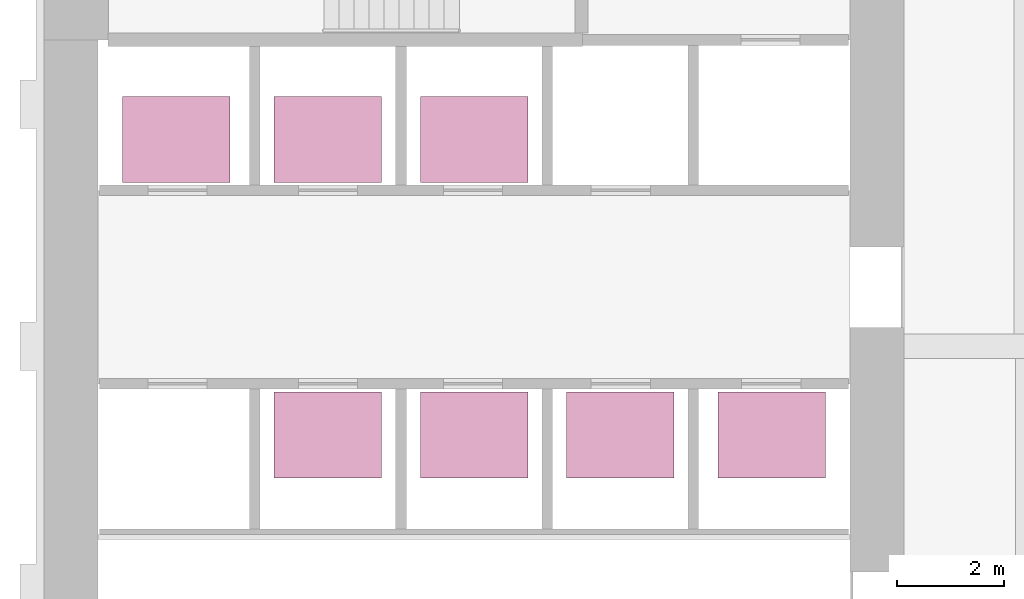
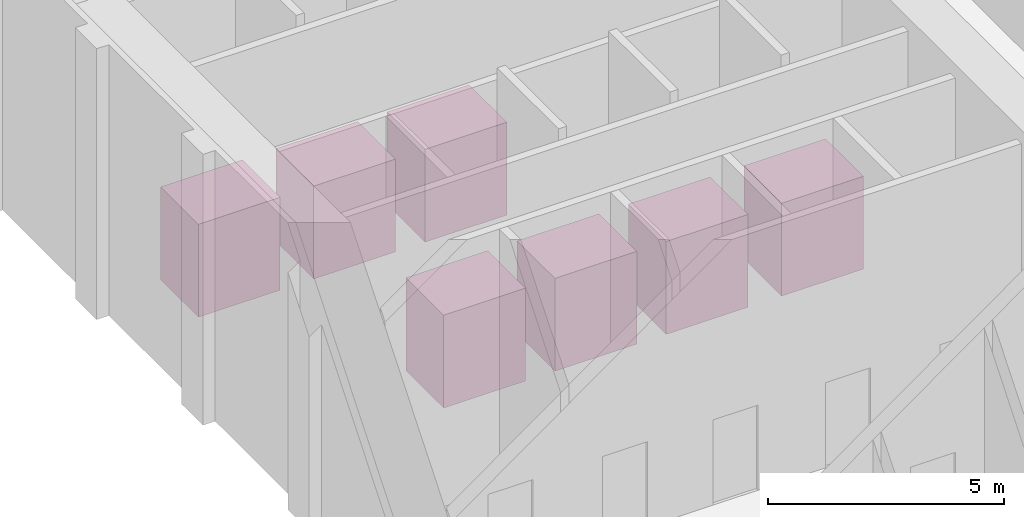
# One storey, part 22 of 22: 7 transport elements.
"""IFC4 building model written with IfcOpenShell, lengths in metres."""

import ifcopenshell
import ifcopenshell.guid

model = None  # the IFC model being written
_history = None  # IfcOwnerHistory: only IFC2X3 demands one
_inside = {}  # id of a spatial element -> (the spatial element, [elements in it])
_under = {}  # id of a project, library or spatial element -> (it, [spatial elements below it])
_declared = {}  # id of a project -> (the project, [libraries it declares])
_typed = {}  # id of a type object -> (the type object, [elements of that type])
_made_of = {}  # id of a material, layer set ... -> (it, [elements and type objects made of it])


def new_model(schema):
    """Start an empty IFC model of exactly this schema.

    Asked for "IFC4X3", IfcOpenShell would pick the latest addendum, in which some entities
    have other attributes; the version numbers below select the first issue.
    IFC2X3 requires an IfcOwnerHistory on every rooted entity: one is made here for all.
    """
    global model, _history
    if schema == "IFC4X3":
        model = ifcopenshell.file(schema_version=(4, 3, 0, 0))
    else:
        model = ifcopenshell.file(schema=schema)
    _inside.clear()
    _under.clear()
    _declared.clear()
    _typed.clear()
    _made_of.clear()
    _history = None
    if model.schema == "IFC2X3":
        org = make("IfcOrganization", Name="unknown")
        user = make(
            "IfcPersonAndOrganization",
            ThePerson=make("IfcPerson", FamilyName="unknown"),
            TheOrganization=org,
        )
        app = make(
            "IfcApplication",
            ApplicationDeveloper=org,
            Version="unknown",
            ApplicationFullName="unknown",
            ApplicationIdentifier="unknown",
        )
        _history = make(
            "IfcOwnerHistory",
            OwningUser=user,
            OwningApplication=app,
            ChangeAction="ADDED",
            CreationDate=0,
        )
    return model


def make(cls, **values):
    """One entity of the class cls with the attributes given. An attribute that is None is left unset."""
    return model.create_entity(
        cls, **{name: value for name, value in values.items() if value is not None}
    )


def rooted(cls, **values):
    """An entity with a GlobalId (a new one), such as an element, a storey or a relation."""
    return make(cls, GlobalId=ifcopenshell.guid.new(), OwnerHistory=_history, **values)


def si_unit(unit_type, name, prefix=None):
    """IfcSIUnit, for example si_unit("LENGTHUNIT", "METRE", prefix="MILLI")."""
    return make("IfcSIUnit", UnitType=unit_type, Prefix=prefix, Name=name)


def assignment(units):
    """IfcUnitAssignment: the units of a project."""
    return None if units is None else make("IfcUnitAssignment", Units=units)


def point(xyz):
    """IfcCartesianPoint."""
    return None if xyz is None else make("IfcCartesianPoint", Coordinates=xyz)


def direction(xyz):
    """IfcDirection."""
    return None if xyz is None else make("IfcDirection", DirectionRatios=xyz)


def frame(location, z_axis=None, x_axis=None):
    """IfcAxis2Placement3D, a coordinate frame: its origin and axes. An axis left out is left unset."""
    return make(
        "IfcAxis2Placement3D",
        Location=point(location),
        Axis=direction(z_axis),
        RefDirection=direction(x_axis),
    )


def frame_2d(location, x_axis=None):
    """IfcAxis2Placement2D, a coordinate frame in the plane: its origin and x axis."""
    return make(
        "IfcAxis2Placement2D", Location=point(location), RefDirection=direction(x_axis)
    )


def origin():
    """The frame at (0, 0, 0) with its axes left unset."""
    return frame((0.0, 0.0, 0.0))


def origin_2d():
    """The frame at (0, 0) in the plane with its x axis left unset."""
    return frame_2d((0.0, 0.0))


def place(relative_to, where):
    """IfcLocalPlacement: puts the frame where relative to a parent placement (None: the world)."""
    return make(
        "IfcLocalPlacement", PlacementRelTo=relative_to, RelativePlacement=where
    )


def context(
    kind, dimensions, precision=None, world=None, true_north=None, identifier=None
):
    """IfcGeometricRepresentationContext, for example the 3D "Model" context."""
    return make(
        "IfcGeometricRepresentationContext",
        ContextIdentifier=identifier,
        ContextType=kind,
        CoordinateSpaceDimension=dimensions,
        Precision=precision,
        WorldCoordinateSystem=world,
        TrueNorth=true_north,
    )


def subcontext(parent, identifier, kind, view, scale=None):
    """IfcGeometricRepresentationSubContext, for example "Body" below "Model"."""
    return make(
        "IfcGeometricRepresentationSubContext",
        ContextIdentifier=identifier,
        ContextType=kind,
        ParentContext=parent,
        TargetScale=scale,
        TargetView=view,
    )


def project(units=None, contexts=None):
    """IfcProject with its units and contexts."""
    return rooted(
        "IfcProject",
        Name="project",
        RepresentationContexts=contexts,
        UnitsInContext=assignment(units),
    )


def spatial(cls, under=None, at=None, **own):
    """A site, building, storey or space (cls), placed at a placement, below another one or the project."""
    s = rooted(cls, ObjectPlacement=at, **own)
    if under is not None:
        _under.setdefault(under.id(), (under, []))[1].append(s)
    return s


def profile(cls, at=None, kind="AREA", **sizes):
    """A parametric profile (cls). Its sizes go by their IFC names, for example OverallWidth=200.0."""
    return make(cls, ProfileType=kind, Position=at, **sizes)


def rectangle(**sizes):
    """IfcRectangleProfileDef."""
    return profile("IfcRectangleProfileDef", **sizes)


def extrude(swept, where, along, depth):
    """IfcExtrudedAreaSolid: the profile swept, set in the frame where, extruded along a direction by depth."""
    return make(
        "IfcExtrudedAreaSolid",
        SweptArea=swept,
        Position=where,
        ExtrudedDirection=direction(along),
        Depth=depth,
    )


def shape(context_of_items, identifier, shape_type, items):
    """IfcShapeRepresentation: the items that make up one representation, for example the "Body"."""
    return make(
        "IfcShapeRepresentation",
        ContextOfItems=context_of_items,
        RepresentationIdentifier=identifier,
        RepresentationType=shape_type,
        Items=items,
    )


def material(Name=None, Category=None):
    """IfcMaterial."""
    return make("IfcMaterial", Name=Name, Category=Category)


def made_of(thing, what):
    """Note that an element or type object is made of a material, layer set ...; save() writes the relation."""
    if what is not None:
        _made_of.setdefault(what.id(), (what, []))[1].append(thing)
    return thing


def type_object(cls, material=None, **own):
    """A type object (cls), such as IfcWallType, which elements share."""
    return made_of(rooted(cls, **own), material)


def element(
    cls,
    number,
    at=None,
    inside=None,
    cuts=None,
    type_object=None,
    material=None,
    context=None,
    identifier="Body",
    shape_type=None,
    held_by="IfcProductDefinitionShape",
    body=None,
    shapes=None,
    **own,
):
    """One element of the class cls, such as IfcWall. Its Tag is "e" and its number.

    at: its placement. inside: the storey or other place that contains it. cuts: it is an
    opening in that element (IfcRelVoidsElement). A single representation is given by context,
    identifier, shape_type and body (its items); several are given by shapes. held_by: the class
    of the entity that holds the representations. save() writes the other relations.
    """
    e = rooted(cls, Tag="e%d" % number, ObjectPlacement=at, **own)
    if body is not None:
        shapes = [shape(context, identifier, shape_type, body)]
    if shapes is not None:
        e.Representation = make(held_by, Representations=shapes)
    if inside is not None:
        _inside.setdefault(inside.id(), (inside, []))[1].append(e)
    if cuts is not None:
        rooted(
            "IfcRelVoidsElement", RelatingBuildingElement=cuts, RelatedOpeningElement=e
        )
    if type_object is not None:
        _typed.setdefault(type_object.id(), (type_object, []))[1].append(e)
    return made_of(e, material)


def aggregate(whole, parts):
    """IfcRelAggregates: a whole, such as a stair, and the parts it consists of."""
    return rooted("IfcRelAggregates", RelatingObject=whole, RelatedObjects=parts)


def save(model, path):
    """Write the relations noted so far, then the file.

    IfcRelAggregates (storeys below a building ...), IfcRelContainedInSpatialStructure (elements
    in a storey), IfcRelDefinesByType, IfcRelAssociatesMaterial and IfcRelDeclares: one each for
    every whole, place, type object, material and project.
    """
    for whole, parts in _under.values():
        aggregate(whole, parts)
    for where, things in _inside.values():
        rooted(
            "IfcRelContainedInSpatialStructure",
            RelatedElements=things,
            RelatingStructure=where,
        )
    for kind, things in _typed.values():
        rooted("IfcRelDefinesByType", RelatedObjects=things, RelatingType=kind)
    for what, things in _made_of.values():
        rooted("IfcRelAssociatesMaterial", RelatedObjects=things, RelatingMaterial=what)
    for by, libraries in _declared.values():
        rooted("IfcRelDeclares", RelatingContext=by, RelatedDefinitions=libraries)
    model.write(path)


model = new_model("IFC4")

# Units and contexts
model_context = context("Model", 3, precision=1e-05, world=origin(), true_north=direction((0.0, 1.0)))
body_context = subcontext(model_context, "Body", "Model", "MODEL_VIEW")
ifc_project = project(units=[si_unit("LENGTHUNIT", "METRE"), si_unit("AREAUNIT", "SQUARE_METRE"), si_unit("VOLUMEUNIT", "CUBIC_METRE"), si_unit("PLANEANGLEUNIT", "RADIAN"), si_unit("MASSUNIT", "GRAM", prefix="KILO")], contexts=[model_context])

# Site, building, storey
site_placement = place(None, origin())
site = spatial("IfcSite", under=ifc_project, at=site_placement, CompositionType="ELEMENT")
building_placement = place(site_placement, origin())
building = spatial("IfcBuilding", under=site, at=building_placement, Name="Cypress Arch Tower", CompositionType="ELEMENT")
storey_placement = place(building_placement, frame((0.0, 0.0, 145.5)))
storey = spatial("IfcBuildingStorey", under=building, at=storey_placement, Name="L32", CompositionType="ELEMENT", Elevation=145.5)

# Transport elements
ifc_material = material(Name="Steel lift car, stainless steel lining", Category="steel")
transport_element_type = type_object("IfcTransportElementType", Name="Passenger lift HR", PredefinedType="ELEVATOR", material=ifc_material)
for number, where, z_axis, x_axis, name in (
    (1, (-24.719970703125, 2.85009765625, 0.0), (0.0, 0.0, 1.0), (1.0, 0.0, 0.0), "Lift HR1"),
    (2, (-22.0, 2.85009765625, 0.0), (0.0, 0.0, 1.0), (1.0, 0.0, 0.0), "Lift HR2"),
    (3, (-19.280029296875, 2.85009765625, 0.0), (0.0, 0.0, 1.0), (1.0, 0.0, 0.0), "Lift HR3"),
    (4, (-16.4599609375, 2.85009765625, 0.0), (0.0, 0.0, 1.0), (1.0, 0.0, 0.0), "Lift HR4"),
    (5, (-27.5400390625, 8.35009765625, 0.0), (0.0, 0.0, 1.0), (1.0, 0.0, 0.0), "Lift HR5"),
    (6, (-24.719970703125, 8.35009765625, 0.0), (0.0, 0.0, 1.0), (1.0, 0.0, 0.0), "Lift HR6"),
    (7, (-22.0, 8.35009765625, 0.0), (0.0, 0.0, 1.0), (1.0, 0.0, 0.0), "Lift HR7"),
):
    element("IfcTransportElement", number, at=place(storey_placement, frame(where, z_axis=z_axis, x_axis=x_axis)), inside=storey, type_object=transport_element_type, Name=name, PredefinedType="ELEVATOR", context=body_context, shape_type="SweptSolid", body=[
        extrude(rectangle(XDim=2.0, YDim=1.60009765625, at=origin_2d()), origin(), (0.0, 0.0, 1.0), 2.39990234375),
    ])

save(model, "model.ifc")
